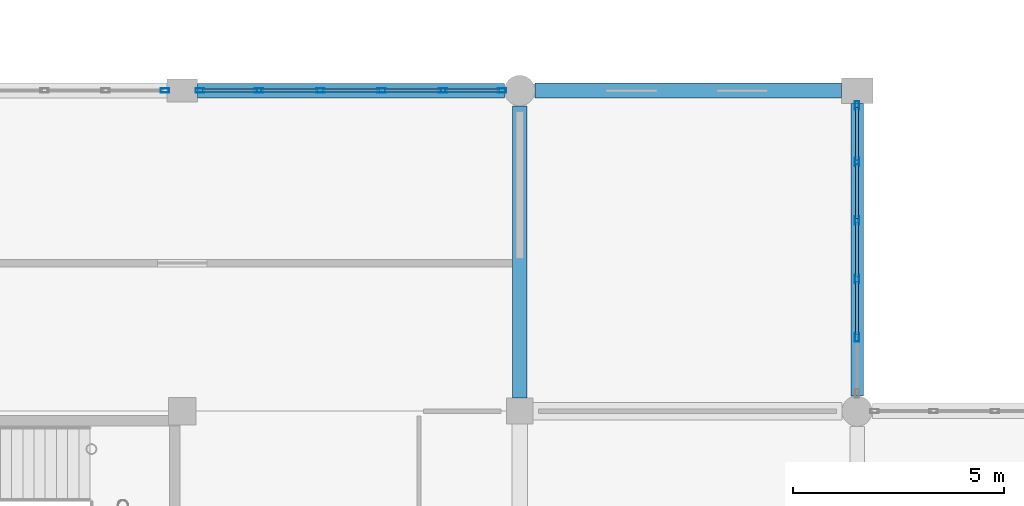
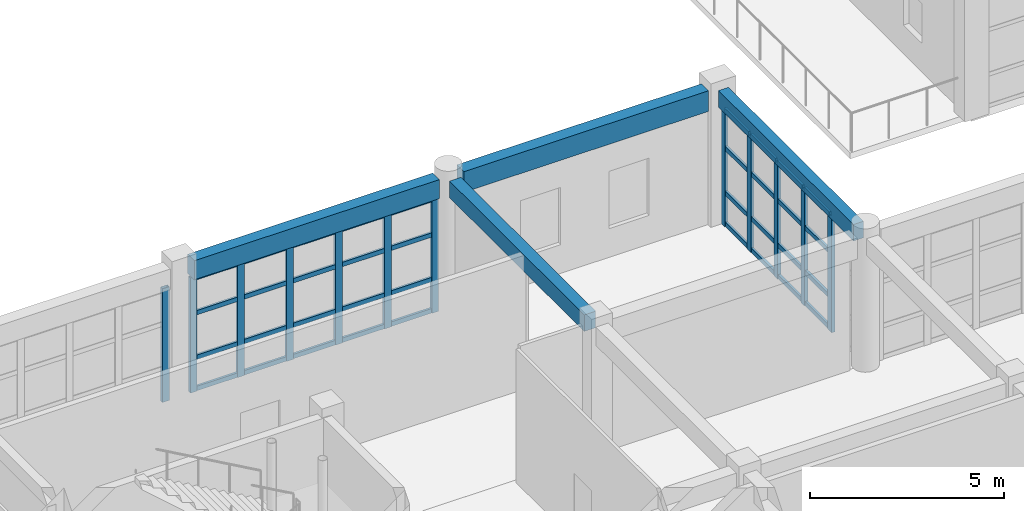
# One storey, part 89 of 160: 48 members, 4 beams, 3 elements without a shape of their own.
"""IFC4 building model written with IfcOpenShell, lengths in metres."""

from ifc_helpers import new_model, si_unit, direction, frame, origin, origin_2d, place, context, subcontext, project, spatial, rectangle, hollow_rectangle, extrude, material, material_profile, profile_set, type_object, element, aggregate, save


model = new_model("IFC4")

# Units and contexts
model_context = context("Model", 3, precision=1e-05, world=origin(), true_north=direction((0.0, 1.0)))
body_context = subcontext(model_context, "Body", "Model", "MODEL_VIEW")
ifc_project = project(units=[si_unit("LENGTHUNIT", "METRE"), si_unit("AREAUNIT", "SQUARE_METRE"), si_unit("VOLUMEUNIT", "CUBIC_METRE"), si_unit("PLANEANGLEUNIT", "RADIAN"), si_unit("MASSUNIT", "GRAM", prefix="KILO")], contexts=[model_context])

# Site, building, storey
site_placement = place(None, origin())
site = spatial("IfcSite", under=ifc_project, at=site_placement, CompositionType="ELEMENT")
building_placement = place(site_placement, origin())
building = spatial("IfcBuilding", under=site, at=building_placement, Name="Kharva Crest Polytechnic", CompositionType="ELEMENT")
storey_placement = place(building_placement, frame((0.0, 0.0, 4.5)))
storey = spatial("IfcBuildingStorey", under=building, at=storey_placement, Name="L01", CompositionType="ELEMENT", Elevation=4.5)

# Beam
ifc_material_1 = material(Name="Concrete C35/45", Category="concrete")
ifc_material_profile_1 = material_profile(ifc_material_1, rectangle(XDim=0.340087890625, YDim=0.52001953125, at=origin_2d()), Name="RECT 340 X 520")
ifc_profile_set_1 = profile_set([ifc_material_profile_1], Name="Concrete C35/45")
beam_type_1 = type_object("IfcBeamType", Name="BM-RC-340X520", PredefinedType="BEAM", material=ifc_profile_set_1)
beam_1_placement = place(storey_placement, frame((136.800048828125, 30.7099609375, 3.9599609375), z_axis=(0.0, 1.0, 0.0), x_axis=(-1.0, 0.0, 0.0)))
element("IfcBeam", 1, at=beam_1_placement, inside=storey, type_object=beam_type_1, Name="L01 Girder 18/E-F", PredefinedType="BEAM", context=body_context, shape_type="SweptSolid", body=[
    extrude(rectangle(XDim=0.340087890625, YDim=0.52001953125, at=origin_2d()), origin(), (0.0, 0.0, 1.0), 6.929931640625),
])

# Curtain wall, members
ifc_material_2 = material(Name="Tempered insulated glass", Category="glass")
curtain_wall_type = type_object("IfcCurtainWallType", Name="CW-SYS-REFECTORY", PredefinedType="USERDEFINED", material=ifc_material_2)
curtain_wall_1_placement = place(storey_placement, origin())
curtain_wall_1 = element("IfcCurtainWall", 2, at=curtain_wall_1_placement, inside=storey, type_object=curtain_wall_type, Name="L01 Glazed Curtain Wall CW-041", ObjectType="CURTAIN WALL", PredefinedType="USERDEFINED")
ifc_material_3 = material(Name="Steel S355", Category="steel")
ifc_material_profile_2 = material_profile(ifc_material_3, hollow_rectangle(XDim=0.10009765625, YDim=0.199951171875, WallThickness=0.00634765625, at=origin_2d()), Name="RHS 200X100X6.3")
ifc_profile_set_2 = profile_set([ifc_material_profile_2], Name="Steel S355")
member_type_1 = type_object("IfcMemberType", Name="CWM-RHS200X100", PredefinedType="MULLION", material=ifc_profile_set_2)
member_1_placement = place(storey_placement, frame((144.800048828125, 32.15087890625, 0.0), z_axis=(0.0, 0.0, 1.0), x_axis=(-1.0, 0.0, 0.0)))
member_1 = element("IfcMember", 3, at=member_1_placement, type_object=member_type_1, Name="CW-041 mullion 2", PredefinedType="MULLION", context=body_context, shape_type="SweptSolid", body=[
    extrude(hollow_rectangle(XDim=0.10009765625, YDim=0.199951171875, WallThickness=0.00634765625, at=origin_2d()), origin(), (0.0, 0.0, 1.0), 3.699951171875),
])
member_2_placement = place(storey_placement, frame((144.800048828125, 33.537109375, 0.0), z_axis=(0.0, 0.0, 1.0), x_axis=(-1.0, 0.0, 0.0)))
member_2 = element("IfcMember", 4, at=member_2_placement, type_object=member_type_1, Name="CW-041 mullion 3", PredefinedType="MULLION", context=body_context, shape_type="SweptSolid", body=[
    extrude(hollow_rectangle(XDim=0.10009765625, YDim=0.199951171875, WallThickness=0.00634765625, at=origin_2d()), origin(), (0.0, 0.0, 1.0), 3.699951171875),
])
member_3_placement = place(storey_placement, frame((144.800048828125, 34.923095703125, 0.0), z_axis=(0.0, 0.0, 1.0), x_axis=(-1.0, 0.0, 0.0)))
member_3 = element("IfcMember", 5, at=member_3_placement, type_object=member_type_1, Name="CW-041 mullion 4", PredefinedType="MULLION", context=body_context, shape_type="SweptSolid", body=[
    extrude(hollow_rectangle(XDim=0.10009765625, YDim=0.199951171875, WallThickness=0.00634765625, at=origin_2d()), origin(), (0.0, 0.0, 1.0), 3.699951171875),
])
member_4_placement = place(storey_placement, frame((144.800048828125, 36.30908203125, 0.0), z_axis=(0.0, 0.0, 1.0), x_axis=(-1.0, 0.0, 0.0)))
member_4 = element("IfcMember", 6, at=member_4_placement, type_object=member_type_1, Name="CW-041 mullion 5", PredefinedType="MULLION", context=body_context, shape_type="SweptSolid", body=[
    extrude(hollow_rectangle(XDim=0.10009765625, YDim=0.199951171875, WallThickness=0.00634765625, at=origin_2d()), origin(), (0.0, 0.0, 1.0), 3.699951171875),
])
member_5_placement = place(storey_placement, frame((144.800048828125, 37.64501953125, 0.0), z_axis=(0.0, 0.0, 1.0), x_axis=(-1.0, 0.0, 0.0)))
member_5 = element("IfcMember", 7, at=member_5_placement, type_object=member_type_1, Name="CW-041 mullion 6", PredefinedType="MULLION", context=body_context, shape_type="SweptSolid", body=[
    extrude(hollow_rectangle(XDim=0.10009765625, YDim=0.199951171875, WallThickness=0.00634765625, at=origin_2d()), origin(), (0.0, 0.0, 1.0), 3.699951171875),
])

curtain_wall_2_placement = place(storey_placement, origin())
curtain_wall_2 = element("IfcCurtainWall", 8, at=curtain_wall_2_placement, inside=storey, type_object=curtain_wall_type, Name="L01 Glazed Curtain Wall CW-042", ObjectType="CURTAIN WALL", PredefinedType="USERDEFINED")
member_6_placement = place(storey_placement, frame((136.385009765625, 38.0, 0.0), z_axis=(0.0, 0.0, 1.0), x_axis=(0.0, -1.0, 0.0)))
member_6 = element("IfcMember", 9, at=member_6_placement, type_object=member_type_1, Name="CW-042 mullion 1", PredefinedType="MULLION", context=body_context, shape_type="SweptSolid", body=[
    extrude(hollow_rectangle(XDim=0.10009765625, YDim=0.199951171875, WallThickness=0.00634765625, at=origin_2d()), origin(), (0.0, 0.0, 1.0), 3.6201171875),
])
member_7_placement = place(storey_placement, frame((134.98095703125, 38.0, 0.0), z_axis=(0.0, 0.0, 1.0), x_axis=(0.0, -1.0, 0.0)))
member_7 = element("IfcMember", 10, at=member_7_placement, type_object=member_type_1, Name="CW-042 mullion 2", PredefinedType="MULLION", context=body_context, shape_type="SweptSolid", body=[
    extrude(hollow_rectangle(XDim=0.10009765625, YDim=0.199951171875, WallThickness=0.00634765625, at=origin_2d()), origin(), (0.0, 0.0, 1.0), 3.6201171875),
])
member_8_placement = place(storey_placement, frame((133.527099609375, 38.0, 0.0), z_axis=(0.0, 0.0, 1.0), x_axis=(0.0, -1.0, 0.0)))
member_8 = element("IfcMember", 11, at=member_8_placement, type_object=member_type_1, Name="CW-042 mullion 3", PredefinedType="MULLION", context=body_context, shape_type="SweptSolid", body=[
    extrude(hollow_rectangle(XDim=0.10009765625, YDim=0.199951171875, WallThickness=0.00634765625, at=origin_2d()), origin(), (0.0, 0.0, 1.0), 3.6201171875),
])
member_9_placement = place(storey_placement, frame((132.072998046875, 38.0, 0.0), z_axis=(0.0, 0.0, 1.0), x_axis=(0.0, -1.0, 0.0)))
member_9 = element("IfcMember", 12, at=member_9_placement, type_object=member_type_1, Name="CW-042 mullion 4", PredefinedType="MULLION", context=body_context, shape_type="SweptSolid", body=[
    extrude(hollow_rectangle(XDim=0.10009765625, YDim=0.199951171875, WallThickness=0.00634765625, at=origin_2d()), origin(), (0.0, 0.0, 1.0), 3.6201171875),
])
member_10_placement = place(storey_placement, frame((130.618896484375, 38.0, 0.0), z_axis=(0.0, 0.0, 1.0), x_axis=(0.0, -1.0, 0.0)))
member_10 = element("IfcMember", 13, at=member_10_placement, type_object=member_type_1, Name="CW-042 mullion 5", PredefinedType="MULLION", context=body_context, shape_type="SweptSolid", body=[
    extrude(hollow_rectangle(XDim=0.10009765625, YDim=0.199951171875, WallThickness=0.00634765625, at=origin_2d()), origin(), (0.0, 0.0, 1.0), 3.6201171875),
])
member_11_placement = place(storey_placement, frame((129.215087890625, 38.0, 0.0), z_axis=(0.0, 0.0, 1.0), x_axis=(0.0, -1.0, 0.0)))
member_11 = element("IfcMember", 14, at=member_11_placement, type_object=member_type_1, Name="CW-042 mullion 6", PredefinedType="MULLION", context=body_context, shape_type="SweptSolid", body=[
    extrude(hollow_rectangle(XDim=0.10009765625, YDim=0.199951171875, WallThickness=0.00634765625, at=origin_2d()), origin(), (0.0, 0.0, 1.0), 3.6201171875),
])

# Curtain wall, member
curtain_wall_3_placement = place(storey_placement, origin())
curtain_wall_3 = element("IfcCurtainWall", 15, at=curtain_wall_3_placement, inside=storey, type_object=curtain_wall_type, Name="L01 Glazed Curtain Wall CW-043", ObjectType="CURTAIN WALL", PredefinedType="USERDEFINED")
member_12_placement = place(storey_placement, frame((128.385009765625, 38.0, 0.0), z_axis=(0.0, 0.0, 1.0), x_axis=(0.0, -1.0, 0.0)))
member_12 = element("IfcMember", 16, at=member_12_placement, type_object=member_type_1, Name="CW-043 mullion 1", PredefinedType="MULLION", context=body_context, shape_type="SweptSolid", body=[
    extrude(hollow_rectangle(XDim=0.10009765625, YDim=0.199951171875, WallThickness=0.00634765625, at=origin_2d()), origin(), (0.0, 0.0, 1.0), 3.570068359375),
])
aggregate(curtain_wall_3, [member_12])

# Member
ifc_material_profile_3 = material_profile(ifc_material_3, hollow_rectangle(XDim=0.070068359375, YDim=0.139892578125, WallThickness=0.00390625, at=origin_2d()), Name="RHS 140X70X4.0")
ifc_profile_set_3 = profile_set([ifc_material_profile_3], Name="Steel S355")
member_type_2 = type_object("IfcMemberType", Name="CWT-RHS140X70", PredefinedType="USERDEFINED", material=ifc_profile_set_3)
member_13_placement = place(storey_placement, frame((144.800048828125, 32.200927734375, 0.070068359375), z_axis=(0.0, 1.0, 0.0), x_axis=(-1.0, 0.0, 0.0)))
member_13 = element("IfcMember", 17, at=member_13_placement, type_object=member_type_2, Name="CW-041 transom 2.1", ObjectType="TRANSOM", PredefinedType="USERDEFINED", context=body_context, shape_type="SweptSolid", body=[
    extrude(hollow_rectangle(XDim=0.070068359375, YDim=0.139892578125, WallThickness=0.00390625, at=origin_2d()), origin(), (0.0, 0.0, 1.0), 1.2861328125),
])

member_14_placement = place(storey_placement, frame((144.800048828125, 32.200927734375, 1.050048828125), z_axis=(0.0, 1.0, 0.0), x_axis=(-1.0, 0.0, 0.0)))
member_14 = element("IfcMember", 18, at=member_14_placement, type_object=member_type_2, Name="CW-041 transom 2.2", ObjectType="TRANSOM", PredefinedType="USERDEFINED", context=body_context, shape_type="SweptSolid", body=[
    extrude(hollow_rectangle(XDim=0.070068359375, YDim=0.139892578125, WallThickness=0.00390625, at=origin_2d()), origin(), (0.0, 0.0, 1.0), 1.2861328125),
])

member_15_placement = place(storey_placement, frame((144.800048828125, 32.200927734375, 2.449951171875), z_axis=(0.0, 1.0, 0.0), x_axis=(-1.0, 0.0, 0.0)))
member_15 = element("IfcMember", 19, at=member_15_placement, type_object=member_type_2, Name="CW-041 transom 2.3", ObjectType="TRANSOM", PredefinedType="USERDEFINED", context=body_context, shape_type="SweptSolid", body=[
    extrude(hollow_rectangle(XDim=0.070068359375, YDim=0.139892578125, WallThickness=0.00390625, at=origin_2d()), origin(), (0.0, 0.0, 1.0), 1.2861328125),
])

member_16_placement = place(storey_placement, frame((144.800048828125, 32.200927734375, 3.6298828125), z_axis=(0.0, 1.0, 0.0), x_axis=(-1.0, 0.0, 0.0)))
member_16 = element("IfcMember", 20, at=member_16_placement, type_object=member_type_2, Name="CW-041 transom 2.4", ObjectType="TRANSOM", PredefinedType="USERDEFINED", context=body_context, shape_type="SweptSolid", body=[
    extrude(hollow_rectangle(XDim=0.070068359375, YDim=0.139892578125, WallThickness=0.00390625, at=origin_2d()), origin(), (0.0, 0.0, 1.0), 1.2861328125),
])

member_17_placement = place(storey_placement, frame((144.800048828125, 33.5869140625, 0.070068359375), z_axis=(0.0, 1.0, 0.0), x_axis=(-1.0, 0.0, 0.0)))
member_17 = element("IfcMember", 21, at=member_17_placement, type_object=member_type_2, Name="CW-041 transom 3.1", ObjectType="TRANSOM", PredefinedType="USERDEFINED", context=body_context, shape_type="SweptSolid", body=[
    extrude(hollow_rectangle(XDim=0.070068359375, YDim=0.139892578125, WallThickness=0.00390625, at=origin_2d()), origin(), (0.0, 0.0, 1.0), 1.2861328125),
])

member_18_placement = place(storey_placement, frame((144.800048828125, 33.5869140625, 1.050048828125), z_axis=(0.0, 1.0, 0.0), x_axis=(-1.0, 0.0, 0.0)))
member_18 = element("IfcMember", 22, at=member_18_placement, type_object=member_type_2, Name="CW-041 transom 3.2", ObjectType="TRANSOM", PredefinedType="USERDEFINED", context=body_context, shape_type="SweptSolid", body=[
    extrude(hollow_rectangle(XDim=0.070068359375, YDim=0.139892578125, WallThickness=0.00390625, at=origin_2d()), origin(), (0.0, 0.0, 1.0), 1.2861328125),
])

member_19_placement = place(storey_placement, frame((144.800048828125, 33.5869140625, 2.449951171875), z_axis=(0.0, 1.0, 0.0), x_axis=(-1.0, 0.0, 0.0)))
member_19 = element("IfcMember", 23, at=member_19_placement, type_object=member_type_2, Name="CW-041 transom 3.3", ObjectType="TRANSOM", PredefinedType="USERDEFINED", context=body_context, shape_type="SweptSolid", body=[
    extrude(hollow_rectangle(XDim=0.070068359375, YDim=0.139892578125, WallThickness=0.00390625, at=origin_2d()), origin(), (0.0, 0.0, 1.0), 1.2861328125),
])

member_20_placement = place(storey_placement, frame((144.800048828125, 33.5869140625, 3.6298828125), z_axis=(0.0, 1.0, 0.0), x_axis=(-1.0, 0.0, 0.0)))
member_20 = element("IfcMember", 24, at=member_20_placement, type_object=member_type_2, Name="CW-041 transom 3.4", ObjectType="TRANSOM", PredefinedType="USERDEFINED", context=body_context, shape_type="SweptSolid", body=[
    extrude(hollow_rectangle(XDim=0.070068359375, YDim=0.139892578125, WallThickness=0.00390625, at=origin_2d()), origin(), (0.0, 0.0, 1.0), 1.2861328125),
])

member_21_placement = place(storey_placement, frame((144.800048828125, 34.972900390625, 0.070068359375), z_axis=(0.0, 1.0, 0.0), x_axis=(-1.0, 0.0, 0.0)))
member_21 = element("IfcMember", 25, at=member_21_placement, type_object=member_type_2, Name="CW-041 transom 4.1", ObjectType="TRANSOM", PredefinedType="USERDEFINED", context=body_context, shape_type="SweptSolid", body=[
    extrude(hollow_rectangle(XDim=0.070068359375, YDim=0.139892578125, WallThickness=0.00390625, at=origin_2d()), origin(), (0.0, 0.0, 1.0), 1.2861328125),
])

member_22_placement = place(storey_placement, frame((144.800048828125, 34.972900390625, 1.050048828125), z_axis=(0.0, 1.0, 0.0), x_axis=(-1.0, 0.0, 0.0)))
member_22 = element("IfcMember", 26, at=member_22_placement, type_object=member_type_2, Name="CW-041 transom 4.2", ObjectType="TRANSOM", PredefinedType="USERDEFINED", context=body_context, shape_type="SweptSolid", body=[
    extrude(hollow_rectangle(XDim=0.070068359375, YDim=0.139892578125, WallThickness=0.00390625, at=origin_2d()), origin(), (0.0, 0.0, 1.0), 1.2861328125),
])

member_23_placement = place(storey_placement, frame((144.800048828125, 34.972900390625, 2.449951171875), z_axis=(0.0, 1.0, 0.0), x_axis=(-1.0, 0.0, 0.0)))
member_23 = element("IfcMember", 27, at=member_23_placement, type_object=member_type_2, Name="CW-041 transom 4.3", ObjectType="TRANSOM", PredefinedType="USERDEFINED", context=body_context, shape_type="SweptSolid", body=[
    extrude(hollow_rectangle(XDim=0.070068359375, YDim=0.139892578125, WallThickness=0.00390625, at=origin_2d()), origin(), (0.0, 0.0, 1.0), 1.2861328125),
])

member_24_placement = place(storey_placement, frame((144.800048828125, 34.972900390625, 3.6298828125), z_axis=(0.0, 1.0, 0.0), x_axis=(-1.0, 0.0, 0.0)))
member_24 = element("IfcMember", 28, at=member_24_placement, type_object=member_type_2, Name="CW-041 transom 4.4", ObjectType="TRANSOM", PredefinedType="USERDEFINED", context=body_context, shape_type="SweptSolid", body=[
    extrude(hollow_rectangle(XDim=0.070068359375, YDim=0.139892578125, WallThickness=0.00390625, at=origin_2d()), origin(), (0.0, 0.0, 1.0), 1.2861328125),
])

member_25_placement = place(storey_placement, frame((144.800048828125, 36.35888671875, 0.070068359375), z_axis=(0.0, 1.0, 0.0), x_axis=(-1.0, 0.0, 0.0)))
member_25 = element("IfcMember", 29, at=member_25_placement, type_object=member_type_2, Name="CW-041 transom 5.1", ObjectType="TRANSOM", PredefinedType="USERDEFINED", context=body_context, shape_type="SweptSolid", body=[
    extrude(hollow_rectangle(XDim=0.070068359375, YDim=0.139892578125, WallThickness=0.00390625, at=origin_2d()), origin(), (0.0, 0.0, 1.0), 1.236083984375),
])

member_26_placement = place(storey_placement, frame((144.800048828125, 36.35888671875, 1.050048828125), z_axis=(0.0, 1.0, 0.0), x_axis=(-1.0, 0.0, 0.0)))
member_26 = element("IfcMember", 30, at=member_26_placement, type_object=member_type_2, Name="CW-041 transom 5.2", ObjectType="TRANSOM", PredefinedType="USERDEFINED", context=body_context, shape_type="SweptSolid", body=[
    extrude(hollow_rectangle(XDim=0.070068359375, YDim=0.139892578125, WallThickness=0.00390625, at=origin_2d()), origin(), (0.0, 0.0, 1.0), 1.236083984375),
])

member_27_placement = place(storey_placement, frame((144.800048828125, 36.35888671875, 2.449951171875), z_axis=(0.0, 1.0, 0.0), x_axis=(-1.0, 0.0, 0.0)))
member_27 = element("IfcMember", 31, at=member_27_placement, type_object=member_type_2, Name="CW-041 transom 5.3", ObjectType="TRANSOM", PredefinedType="USERDEFINED", context=body_context, shape_type="SweptSolid", body=[
    extrude(hollow_rectangle(XDim=0.070068359375, YDim=0.139892578125, WallThickness=0.00390625, at=origin_2d()), origin(), (0.0, 0.0, 1.0), 1.236083984375),
])

member_28_placement = place(storey_placement, frame((144.800048828125, 36.35888671875, 3.6298828125), z_axis=(0.0, 1.0, 0.0), x_axis=(-1.0, 0.0, 0.0)))
member_28 = element("IfcMember", 32, at=member_28_placement, type_object=member_type_2, Name="CW-041 transom 5.4", ObjectType="TRANSOM", PredefinedType="USERDEFINED", context=body_context, shape_type="SweptSolid", body=[
    extrude(hollow_rectangle(XDim=0.070068359375, YDim=0.139892578125, WallThickness=0.00390625, at=origin_2d()), origin(), (0.0, 0.0, 1.0), 1.236083984375),
])

aggregate(curtain_wall_1, [member_1, member_2, member_3, member_4, member_5, member_13, member_14, member_15, member_16, member_17, member_18, member_19, member_20, member_21, member_22, member_23, member_24, member_25, member_26, member_27, member_28])

member_29_placement = place(storey_placement, frame((136.3349609375, 38.0, 0.070068359375), z_axis=(-1.0, 0.0, 0.0), x_axis=(0.0, -1.0, 0.0)))
member_29 = element("IfcMember", 33, at=member_29_placement, type_object=member_type_2, Name="CW-042 transom 1.1", ObjectType="TRANSOM", PredefinedType="USERDEFINED", context=body_context, shape_type="SweptSolid", body=[
    extrude(hollow_rectangle(XDim=0.070068359375, YDim=0.139892578125, WallThickness=0.00390625, at=origin_2d()), origin(), (0.0, 0.0, 1.0), 1.303955078125),
])

member_30_placement = place(storey_placement, frame((136.3349609375, 38.0, 1.050048828125), z_axis=(-1.0, 0.0, 0.0), x_axis=(0.0, -1.0, 0.0)))
member_30 = element("IfcMember", 34, at=member_30_placement, type_object=member_type_2, Name="CW-042 transom 1.2", ObjectType="TRANSOM", PredefinedType="USERDEFINED", context=body_context, shape_type="SweptSolid", body=[
    extrude(hollow_rectangle(XDim=0.070068359375, YDim=0.139892578125, WallThickness=0.00390625, at=origin_2d()), origin(), (0.0, 0.0, 1.0), 1.303955078125),
])

member_31_placement = place(storey_placement, frame((136.3349609375, 38.0, 2.449951171875), z_axis=(-1.0, 0.0, 0.0), x_axis=(0.0, -1.0, 0.0)))
member_31 = element("IfcMember", 35, at=member_31_placement, type_object=member_type_2, Name="CW-042 transom 1.3", ObjectType="TRANSOM", PredefinedType="USERDEFINED", context=body_context, shape_type="SweptSolid", body=[
    extrude(hollow_rectangle(XDim=0.070068359375, YDim=0.139892578125, WallThickness=0.00390625, at=origin_2d()), origin(), (0.0, 0.0, 1.0), 1.303955078125),
])

member_32_placement = place(storey_placement, frame((136.3349609375, 38.0, 3.550048828125), z_axis=(-1.0, 0.0, 0.0), x_axis=(0.0, -1.0, 0.0)))
member_32 = element("IfcMember", 36, at=member_32_placement, type_object=member_type_2, Name="CW-042 transom 1.4", ObjectType="TRANSOM", PredefinedType="USERDEFINED", context=body_context, shape_type="SweptSolid", body=[
    extrude(hollow_rectangle(XDim=0.070068359375, YDim=0.139892578125, WallThickness=0.00390625, at=origin_2d()), origin(), (0.0, 0.0, 1.0), 1.303955078125),
])

member_33_placement = place(storey_placement, frame((134.930908203125, 38.0, 0.070068359375), z_axis=(-1.0, 0.0, 0.0), x_axis=(0.0, -1.0, 0.0)))
member_33 = element("IfcMember", 37, at=member_33_placement, type_object=member_type_2, Name="CW-042 transom 2.1", ObjectType="TRANSOM", PredefinedType="USERDEFINED", context=body_context, shape_type="SweptSolid", body=[
    extrude(hollow_rectangle(XDim=0.070068359375, YDim=0.139892578125, WallThickness=0.00390625, at=origin_2d()), origin(), (0.0, 0.0, 1.0), 1.35400390625),
])

member_34_placement = place(storey_placement, frame((134.930908203125, 38.0, 1.050048828125), z_axis=(-1.0, 0.0, 0.0), x_axis=(0.0, -1.0, 0.0)))
member_34 = element("IfcMember", 38, at=member_34_placement, type_object=member_type_2, Name="CW-042 transom 2.2", ObjectType="TRANSOM", PredefinedType="USERDEFINED", context=body_context, shape_type="SweptSolid", body=[
    extrude(hollow_rectangle(XDim=0.070068359375, YDim=0.139892578125, WallThickness=0.00390625, at=origin_2d()), origin(), (0.0, 0.0, 1.0), 1.35400390625),
])

member_35_placement = place(storey_placement, frame((134.930908203125, 38.0, 2.449951171875), z_axis=(-1.0, 0.0, 0.0), x_axis=(0.0, -1.0, 0.0)))
member_35 = element("IfcMember", 39, at=member_35_placement, type_object=member_type_2, Name="CW-042 transom 2.3", ObjectType="TRANSOM", PredefinedType="USERDEFINED", context=body_context, shape_type="SweptSolid", body=[
    extrude(hollow_rectangle(XDim=0.070068359375, YDim=0.139892578125, WallThickness=0.00390625, at=origin_2d()), origin(), (0.0, 0.0, 1.0), 1.35400390625),
])

member_36_placement = place(storey_placement, frame((134.930908203125, 38.0, 3.550048828125), z_axis=(-1.0, 0.0, 0.0), x_axis=(0.0, -1.0, 0.0)))
member_36 = element("IfcMember", 40, at=member_36_placement, type_object=member_type_2, Name="CW-042 transom 2.4", ObjectType="TRANSOM", PredefinedType="USERDEFINED", context=body_context, shape_type="SweptSolid", body=[
    extrude(hollow_rectangle(XDim=0.070068359375, YDim=0.139892578125, WallThickness=0.00390625, at=origin_2d()), origin(), (0.0, 0.0, 1.0), 1.35400390625),
])

member_37_placement = place(storey_placement, frame((133.47705078125, 38.0, 0.070068359375), z_axis=(-1.0, 0.0, 0.0), x_axis=(0.0, -1.0, 0.0)))
member_37 = element("IfcMember", 41, at=member_37_placement, type_object=member_type_2, Name="CW-042 transom 3.1", ObjectType="TRANSOM", PredefinedType="USERDEFINED", context=body_context, shape_type="SweptSolid", body=[
    extrude(hollow_rectangle(XDim=0.070068359375, YDim=0.139892578125, WallThickness=0.00390625, at=origin_2d()), origin(), (0.0, 0.0, 1.0), 1.35400390625),
])

member_38_placement = place(storey_placement, frame((133.47705078125, 38.0, 1.050048828125), z_axis=(-1.0, 0.0, 0.0), x_axis=(0.0, -1.0, 0.0)))
member_38 = element("IfcMember", 42, at=member_38_placement, type_object=member_type_2, Name="CW-042 transom 3.2", ObjectType="TRANSOM", PredefinedType="USERDEFINED", context=body_context, shape_type="SweptSolid", body=[
    extrude(hollow_rectangle(XDim=0.070068359375, YDim=0.139892578125, WallThickness=0.00390625, at=origin_2d()), origin(), (0.0, 0.0, 1.0), 1.35400390625),
])

member_39_placement = place(storey_placement, frame((133.47705078125, 38.0, 2.449951171875), z_axis=(-1.0, 0.0, 0.0), x_axis=(0.0, -1.0, 0.0)))
member_39 = element("IfcMember", 43, at=member_39_placement, type_object=member_type_2, Name="CW-042 transom 3.3", ObjectType="TRANSOM", PredefinedType="USERDEFINED", context=body_context, shape_type="SweptSolid", body=[
    extrude(hollow_rectangle(XDim=0.070068359375, YDim=0.139892578125, WallThickness=0.00390625, at=origin_2d()), origin(), (0.0, 0.0, 1.0), 1.35400390625),
])

member_40_placement = place(storey_placement, frame((133.47705078125, 38.0, 3.550048828125), z_axis=(-1.0, 0.0, 0.0), x_axis=(0.0, -1.0, 0.0)))
member_40 = element("IfcMember", 44, at=member_40_placement, type_object=member_type_2, Name="CW-042 transom 3.4", ObjectType="TRANSOM", PredefinedType="USERDEFINED", context=body_context, shape_type="SweptSolid", body=[
    extrude(hollow_rectangle(XDim=0.070068359375, YDim=0.139892578125, WallThickness=0.00390625, at=origin_2d()), origin(), (0.0, 0.0, 1.0), 1.35400390625),
])

member_41_placement = place(storey_placement, frame((132.02294921875, 38.0, 0.070068359375), z_axis=(-1.0, 0.0, 0.0), x_axis=(0.0, -1.0, 0.0)))
member_41 = element("IfcMember", 45, at=member_41_placement, type_object=member_type_2, Name="CW-042 transom 4.1", ObjectType="TRANSOM", PredefinedType="USERDEFINED", context=body_context, shape_type="SweptSolid", body=[
    extrude(hollow_rectangle(XDim=0.070068359375, YDim=0.139892578125, WallThickness=0.00390625, at=origin_2d()), origin(), (0.0, 0.0, 1.0), 1.35400390625),
])

member_42_placement = place(storey_placement, frame((132.02294921875, 38.0, 1.050048828125), z_axis=(-1.0, 0.0, 0.0), x_axis=(0.0, -1.0, 0.0)))
member_42 = element("IfcMember", 46, at=member_42_placement, type_object=member_type_2, Name="CW-042 transom 4.2", ObjectType="TRANSOM", PredefinedType="USERDEFINED", context=body_context, shape_type="SweptSolid", body=[
    extrude(hollow_rectangle(XDim=0.070068359375, YDim=0.139892578125, WallThickness=0.00390625, at=origin_2d()), origin(), (0.0, 0.0, 1.0), 1.35400390625),
])

member_43_placement = place(storey_placement, frame((132.02294921875, 38.0, 2.449951171875), z_axis=(-1.0, 0.0, 0.0), x_axis=(0.0, -1.0, 0.0)))
member_43 = element("IfcMember", 47, at=member_43_placement, type_object=member_type_2, Name="CW-042 transom 4.3", ObjectType="TRANSOM", PredefinedType="USERDEFINED", context=body_context, shape_type="SweptSolid", body=[
    extrude(hollow_rectangle(XDim=0.070068359375, YDim=0.139892578125, WallThickness=0.00390625, at=origin_2d()), origin(), (0.0, 0.0, 1.0), 1.35400390625),
])

member_44_placement = place(storey_placement, frame((132.02294921875, 38.0, 3.550048828125), z_axis=(-1.0, 0.0, 0.0), x_axis=(0.0, -1.0, 0.0)))
member_44 = element("IfcMember", 48, at=member_44_placement, type_object=member_type_2, Name="CW-042 transom 4.4", ObjectType="TRANSOM", PredefinedType="USERDEFINED", context=body_context, shape_type="SweptSolid", body=[
    extrude(hollow_rectangle(XDim=0.070068359375, YDim=0.139892578125, WallThickness=0.00390625, at=origin_2d()), origin(), (0.0, 0.0, 1.0), 1.35400390625),
])

member_45_placement = place(storey_placement, frame((130.569091796875, 38.0, 0.070068359375), z_axis=(-1.0, 0.0, 0.0), x_axis=(0.0, -1.0, 0.0)))
member_45 = element("IfcMember", 49, at=member_45_placement, type_object=member_type_2, Name="CW-042 transom 5.1", ObjectType="TRANSOM", PredefinedType="USERDEFINED", context=body_context, shape_type="SweptSolid", body=[
    extrude(hollow_rectangle(XDim=0.070068359375, YDim=0.139892578125, WallThickness=0.00390625, at=origin_2d()), origin(), (0.0, 0.0, 1.0), 1.30419921875),
])

member_46_placement = place(storey_placement, frame((130.569091796875, 38.0, 1.050048828125), z_axis=(-1.0, 0.0, 0.0), x_axis=(0.0, -1.0, 0.0)))
member_46 = element("IfcMember", 50, at=member_46_placement, type_object=member_type_2, Name="CW-042 transom 5.2", ObjectType="TRANSOM", PredefinedType="USERDEFINED", context=body_context, shape_type="SweptSolid", body=[
    extrude(hollow_rectangle(XDim=0.070068359375, YDim=0.139892578125, WallThickness=0.00390625, at=origin_2d()), origin(), (0.0, 0.0, 1.0), 1.30419921875),
])

member_47_placement = place(storey_placement, frame((130.569091796875, 38.0, 2.449951171875), z_axis=(-1.0, 0.0, 0.0), x_axis=(0.0, -1.0, 0.0)))
member_47 = element("IfcMember", 51, at=member_47_placement, type_object=member_type_2, Name="CW-042 transom 5.3", ObjectType="TRANSOM", PredefinedType="USERDEFINED", context=body_context, shape_type="SweptSolid", body=[
    extrude(hollow_rectangle(XDim=0.070068359375, YDim=0.139892578125, WallThickness=0.00390625, at=origin_2d()), origin(), (0.0, 0.0, 1.0), 1.30419921875),
])

member_48_placement = place(storey_placement, frame((130.569091796875, 38.0, 3.550048828125), z_axis=(-1.0, 0.0, 0.0), x_axis=(0.0, -1.0, 0.0)))
member_48 = element("IfcMember", 52, at=member_48_placement, type_object=member_type_2, Name="CW-042 transom 5.4", ObjectType="TRANSOM", PredefinedType="USERDEFINED", context=body_context, shape_type="SweptSolid", body=[
    extrude(hollow_rectangle(XDim=0.070068359375, YDim=0.139892578125, WallThickness=0.00390625, at=origin_2d()), origin(), (0.0, 0.0, 1.0), 1.30419921875),
])

aggregate(curtain_wall_2, [member_6, member_7, member_8, member_9, member_10, member_11, member_29, member_30, member_31, member_32, member_33, member_34, member_35, member_36, member_37, member_38, member_39, member_40, member_41, member_42, member_43, member_44, member_45, member_46, member_47, member_48])

# Beams
ifc_material_profile_4 = material_profile(ifc_material_1, rectangle(XDim=0.300048828125, YDim=0.52001953125, at=origin_2d()), Name="RECT 300 X 520")
ifc_profile_set_4 = profile_set([ifc_material_profile_4], Name="Concrete C35/45")
beam_type_2 = type_object("IfcBeamType", Name="SP-RC-300X520", PredefinedType="SPANDREL", material=ifc_profile_set_4)
beam_2_placement = place(storey_placement, frame((144.800048828125, 30.760009765625, 3.9599609375), z_axis=(0.0, 1.0, 0.0), x_axis=(-1.0, 0.0, 0.0)))
element("IfcBeam", 53, at=beam_2_placement, inside=storey, type_object=beam_type_2, Name="L01 Girder 19/E-F", PredefinedType="SPANDREL", context=body_context, shape_type="SweptSolid", body=[
    extrude(rectangle(XDim=0.300048828125, YDim=0.52001953125, at=origin_2d()), origin(), (0.0, 0.0, 1.0), 6.93994140625),
])
ifc_material_profile_5 = material_profile(ifc_material_1, rectangle(XDim=0.340087890625, YDim=0.60009765625, at=origin_2d()), Name="RECT 340 X 600")
ifc_profile_set_5 = profile_set([ifc_material_profile_5], Name="Concrete C35/45")
beam_type_3 = type_object("IfcBeamType", Name="SP-RC-340X600", PredefinedType="SPANDREL", material=ifc_profile_set_5)
beam_3_placement = place(storey_placement, frame((129.159912109375, 38.0, 3.919921875), z_axis=(1.0, 0.0, 0.0), x_axis=(0.0, 1.0, 0.0)))
element("IfcBeam", 54, at=beam_3_placement, inside=storey, type_object=beam_type_3, Name="L01 Beam F/17-18", PredefinedType="SPANDREL", context=body_context, shape_type="SweptSolid", body=[
    extrude(rectangle(XDim=0.340087890625, YDim=0.60009765625, at=origin_2d()), origin(), (0.0, 0.0, 1.0), 7.280029296875),
])
ifc_material_profile_6 = material_profile(ifc_material_1, rectangle(XDim=0.360107421875, YDim=0.64990234375, at=origin_2d()), Name="RECT 360 X 650")
ifc_profile_set_6 = profile_set([ifc_material_profile_6], Name="Concrete C35/45")
beam_type_4 = type_object("IfcBeamType", Name="SP-RC-360X650", PredefinedType="SPANDREL", material=ifc_profile_set_6)
beam_4_placement = place(storey_placement, frame((137.159912109375, 38.0, 3.89501953125), z_axis=(1.0, 0.0, 0.0), x_axis=(0.0, 1.0, 0.0)))
element("IfcBeam", 55, at=beam_4_placement, inside=storey, type_object=beam_type_4, Name="L01 Beam F/18-19", PredefinedType="SPANDREL", context=body_context, shape_type="SweptSolid", body=[
    extrude(rectangle(XDim=0.360107421875, YDim=0.64990234375, at=origin_2d()), origin(), (0.0, 0.0, 1.0), 7.26513671875),
])

save(model, "model.ifc")
